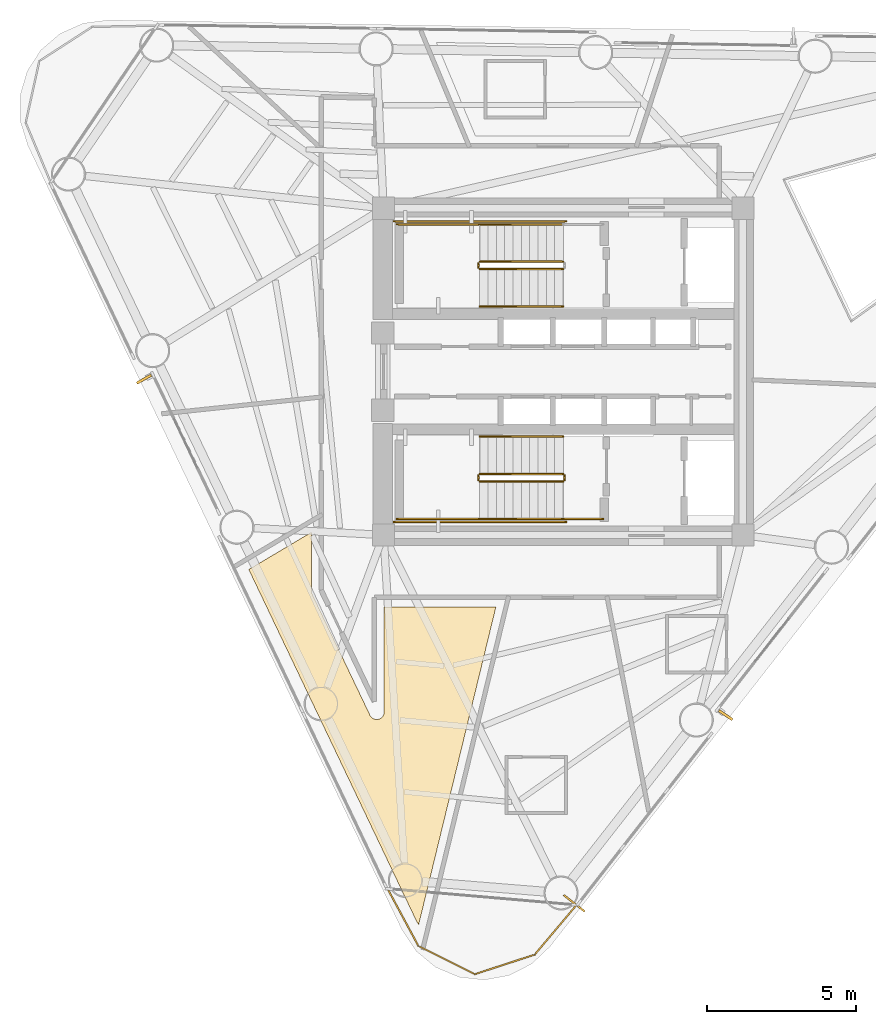
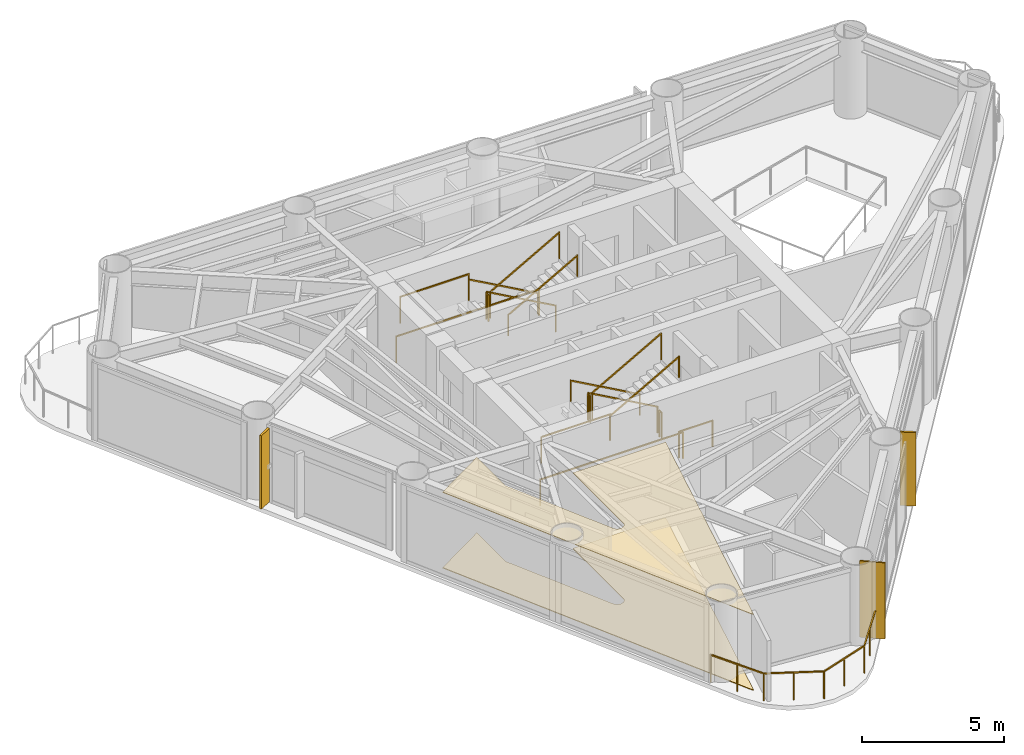
# One storey, part 7 of 9: 17 railings, 3 coverings, 2 shading devices.
"""IFC4 building model written with IfcOpenShell, lengths in metres."""

from ifc_helpers import new_model, si_unit, direction, frame, origin, origin_2d, place, context, subcontext, project, spatial, polyline, rectangle, outline, extrude, source, transform, mapped, material, layer, layer_set, material_profile, profile_set, type_object, element, save


model = new_model("IFC4")

# Units and contexts
model_context = context("Model", 3, precision=1e-05, world=origin(), true_north=direction((0.0, 1.0)))
body_context = subcontext(model_context, "Body", "Model", "MODEL_VIEW")
ifc_project = project(units=[si_unit("LENGTHUNIT", "METRE"), si_unit("AREAUNIT", "SQUARE_METRE"), si_unit("VOLUMEUNIT", "CUBIC_METRE"), si_unit("PLANEANGLEUNIT", "RADIAN"), si_unit("MASSUNIT", "GRAM", prefix="KILO")], contexts=[model_context])

# Site, building, storey
site_placement = place(None, origin())
site = spatial("IfcSite", under=ifc_project, at=site_placement, CompositionType="ELEMENT")
building_placement = place(site_placement, origin())
building = spatial("IfcBuilding", under=site, at=building_placement, Name="Yunling Apex Tower", CompositionType="ELEMENT")
storey_placement = place(building_placement, frame((0.0, 0.0, 212.14990234375)))
storey = spatial("IfcBuildingStorey", under=building, at=storey_placement, Name="L52", CompositionType="ELEMENT", Elevation=212.14990234375)

# Coverings
ifc_material_1 = material(Name="Acoustic mineral fibre ceiling")
ifc_layer_1 = layer(ifc_material_1, 0.02490234375)
ifc_layer_set_1 = layer_set([ifc_layer_1], Name="Acoustic mineral fibre ceiling")
covering_type_1 = type_object("IfcCoveringType", Name="CV-CLG-1", PredefinedType="CEILING", material=ifc_layer_set_1)
covering_1_placement = place(storey_placement, frame((0.0, 0.0, 3.2451171875)))
element("IfcCovering", 1, at=covering_1_placement, inside=storey, type_object=covering_type_1, Name="CV-CL-SP-L52-HAM1", PredefinedType="CEILING", context=body_context, shape_type="SweptSolid", body=[
    extrude(outline(polyline([(-4.8662109375, -18.615478515625), (-4.92919921875, -18.521240234375), (-10.586181640625, -6.660888671875), (-8.47998046875, -5.412109375), (-8.47998046875, -7.377685546875), (-8.479248046875, -7.396484375), (-8.475830078125, -7.419921875), (-8.47119140625, -7.43994140625), (-8.46533203125, -7.45849609375), (-8.458740234375, -7.474853515625), (-6.504150390625, -11.57275390625), (-6.493896484375, -11.59228515625), (-6.478759765625, -11.613525390625), (-6.46337890625, -11.632080078125), (-6.446044921875, -11.648681640625), (-6.427490234375, -11.664306640625), (-6.4052734375, -11.678466796875), (-6.383544921875, -11.689697265625), (-6.359375, -11.69921875), (-6.33837890625, -11.705078125), (-6.3134765625, -11.710205078125), (-6.284423828125, -11.7119140625), (-6.26318359375, -11.711181640625), (-6.23779296875, -11.708740234375), (-6.21240234375, -11.70263671875), (-6.187255859375, -11.694580078125), (-6.16357421875, -11.68310546875), (-6.146728515625, -11.673583984375), (-6.124755859375, -11.658447265625), (-6.105224609375, -11.640869140625), (-6.0888671875, -11.62353515625), (-6.072509765625, -11.6015625), (-6.059814453125, -11.580810546875), (-6.050537109375, -11.5615234375), (-6.041015625, -11.537109375), (-6.034912109375, -11.51171875), (-6.03076171875, -11.486572265625), (-6.030029296875, -11.465576171875), (-6.030029296875, -7.929931640625), (-2.267822265625, -7.929931640625), (-4.8662109375, -18.615478515625)])), origin(), (0.0, 0.0, 1.0), 0.02490234375),
])
ifc_material_2 = material(Name="Polished granite stone", Category="masonry")
ifc_layer_2 = layer(ifc_material_2, 0.030029296875)
ifc_layer_set_2 = layer_set([ifc_layer_2], Name="Polished granite stone")
covering_type_2 = type_object("IfcCoveringType", Name="CV-FLR-1", PredefinedType="FLOORING", material=ifc_layer_set_2)
covering_2_placement = place(storey_placement, origin())
element("IfcCovering", 2, at=covering_2_placement, inside=storey, type_object=covering_type_2, Name="CV-FL-SP-L52-HAM1", PredefinedType="FLOORING", context=body_context, shape_type="SweptSolid", body=[
    extrude(outline(polyline([(-4.8662109375, -18.615478515625), (-4.92919921875, -18.521240234375), (-10.586181640625, -6.660888671875), (-8.47998046875, -5.412109375), (-8.47998046875, -7.377685546875), (-8.479248046875, -7.396484375), (-8.475830078125, -7.419921875), (-8.47119140625, -7.43994140625), (-8.46533203125, -7.45849609375), (-8.458740234375, -7.474853515625), (-6.504150390625, -11.57275390625), (-6.493896484375, -11.59228515625), (-6.478759765625, -11.613525390625), (-6.46337890625, -11.632080078125), (-6.446044921875, -11.648681640625), (-6.427490234375, -11.664306640625), (-6.4052734375, -11.678466796875), (-6.383544921875, -11.689697265625), (-6.359375, -11.69921875), (-6.33837890625, -11.705078125), (-6.3134765625, -11.710205078125), (-6.284423828125, -11.7119140625), (-6.26318359375, -11.711181640625), (-6.23779296875, -11.708740234375), (-6.21240234375, -11.70263671875), (-6.187255859375, -11.694580078125), (-6.16357421875, -11.68310546875), (-6.146728515625, -11.673583984375), (-6.124755859375, -11.658447265625), (-6.105224609375, -11.640869140625), (-6.0888671875, -11.62353515625), (-6.072509765625, -11.6015625), (-6.059814453125, -11.580810546875), (-6.050537109375, -11.5615234375), (-6.041015625, -11.537109375), (-6.034912109375, -11.51171875), (-6.03076171875, -11.486572265625), (-6.030029296875, -11.465576171875), (-6.030029296875, -7.929931640625), (-2.267822265625, -7.929931640625), (-4.8662109375, -18.615478515625)])), origin(), (0.0, 0.0, 1.0), 0.030029296875),
])

# Railings
ifc_material_3 = material(Name="Bronze anodised aluminium", Category="aluminium")
railing_type_1 = type_object("IfcRailingType", Name="RL-BAL-1200", PredefinedType="BALUSTRADE", material=ifc_material_3)
railing_1_placement = place(storey_placement, frame((0.4462890625, -17.9599609375, 0.0)))
element("IfcRailing", 3, at=railing_1_placement, inside=storey, type_object=railing_type_1, Name="RL-CRNSILL-L52-3", PredefinedType="BALUSTRADE", context=body_context, shape_type="SweptSolid", body=[
    extrude(rectangle(XDim=0.0439453125, YDim=0.0439453125, at=origin_2d()), origin(), (0.0, 0.0, 1.0), 1.199951171875),
    extrude(rectangle(XDim=0.0439453125, YDim=0.0439453125, at=origin_2d()), frame((-1.408447265625, -1.669189453125, 0.0)), (0.0, 0.0, 1.0), 1.199951171875),
    extrude(rectangle(XDim=0.050048828125, YDim=0.050048828125, at=origin_2d()), frame((-0.024658203125, -0.029296875, 1.1748046875), z_axis=(-0.644889304204, -0.764275987666, 0.0), x_axis=(0.764275987666, -0.644889304204, 0.0)), (0.0, 0.0, 1.0), 2.107421875),
    extrude(rectangle(XDim=0.0439453125, YDim=0.0439453125, at=origin_2d()), frame((-0.7041015625, -0.83447265625, 0.0)), (0.0, 0.0, 1.0), 1.14599609375),
    extrude(rectangle(XDim=0.0439453125, YDim=0.0439453125, at=origin_2d()), frame((-3.421875, -2.326416015625, 0.0)), (0.0, 0.0, 1.0), 1.199951171875),
    extrude(rectangle(XDim=0.050048828125, YDim=0.050048828125, at=origin_2d()), frame((-1.44482421875, -1.68115234375, 1.1748046875), z_axis=(-0.950635994022, -0.310308244926, 0.0), x_axis=(0.310308244926, -0.950635994022, 0.0)), (0.0, 0.0, 1.0), 2.041259765625),
    extrude(rectangle(XDim=0.0439453125, YDim=0.0439453125, at=origin_2d()), frame((-2.4150390625, -1.997802734375, 0.0)), (0.0, 0.0, 1.0), 1.14599609375),
    extrude(rectangle(XDim=0.0439453125, YDim=0.0439453125, at=origin_2d()), frame((-5.32275390625, -1.376708984375, 0.0)), (0.0, 0.0, 1.0), 1.199951171875),
    extrude(rectangle(XDim=0.050048828125, YDim=0.050048828125, at=origin_2d()), frame((-3.4560546875, -2.309326171875, 1.1748046875), z_axis=(-0.894565021347, 0.446937828543, 0.0), x_axis=(-0.446937828543, -0.894565021347, 0.0)), (0.0, 0.0, 1.0), 2.04833984375),
    extrude(rectangle(XDim=0.0439453125, YDim=0.0439453125, at=origin_2d()), frame((-4.372314453125, -1.8515625, 0.0)), (0.0, 0.0, 1.0), 1.14599609375),
    extrude(rectangle(XDim=0.0439453125, YDim=0.0439453125, at=origin_2d()), frame((-6.35791015625, 0.545654296875, 0.0)), (0.0, 0.0, 1.0), 1.199951171875),
    extrude(rectangle(XDim=0.050048828125, YDim=0.050048828125, at=origin_2d()), frame((-5.3408203125, -1.343017578125, 1.1748046875), z_axis=(-0.474113159208, 0.880463918775, 0.0), x_axis=(-0.880463918775, -0.474113159208, 0.0)), (0.0, 0.0, 1.0), 2.106689453125),
    extrude(rectangle(XDim=0.0439453125, YDim=0.0439453125, at=origin_2d()), frame((-5.84033203125, -0.41552734375, 0.0)), (0.0, 0.0, 1.0), 1.14599609375),
])
ifc_material_4 = material(Name="Steel Q355B", Category="steel")
railing_type_2 = type_object("IfcRailingType", Name="RL-GRD-1150", PredefinedType="GUARDRAIL", material=ifc_material_4)
railing_2_placement = place(storey_placement, frame((-0.010009765625, 3.699951171875, 0.156982421875)))
element("IfcRailing", 4, at=railing_2_placement, inside=storey, type_object=railing_type_2, Name="L52 ST-1 stair guard 1", PredefinedType="GUARDRAIL", context=body_context, shape_type="SweptSolid", body=[
    extrude(rectangle(XDim=0.0439453125, YDim=0.0439453125, at=origin_2d()), origin(), (0.0, 0.0, 1.0), 1.14990234375),
    extrude(rectangle(XDim=0.0439453125, YDim=0.0439453125, at=origin_2d()), frame((-2.800048828125, 0.0, 1.568115234375)), (0.0, 0.0, 1.0), 1.14990234375),
    extrude(rectangle(XDim=0.050048828125, YDim=0.050048828125, at=origin_2d()), frame((-0.033447265625, 0.0, 1.1435546875), z_axis=(-0.872494340497, 0.0, 0.48862421737), x_axis=(0.0, -1.0, 0.0)), (0.0, 0.0, 1.0), 3.132568359375),
])
railing_3_placement = place(storey_placement, frame((-2.860107421875, 3.64990234375, 1.72509765625)))
element("IfcRailing", 5, at=railing_3_placement, inside=storey, type_object=railing_type_2, Name="L52 ST-1 stair guard 2", PredefinedType="GUARDRAIL", context=body_context, shape_type="SweptSolid", body=[
    extrude(rectangle(XDim=0.0439453125, YDim=0.0439453125, at=origin_2d()), origin(), (0.0, 0.0, 1.0), 1.14990234375),
    extrude(rectangle(XDim=0.0439453125, YDim=0.0439453125, at=origin_2d()), frame((0.0, -0.14990234375, 0.0)), (0.0, 0.0, 1.0), 1.14990234375),
    extrude(rectangle(XDim=0.050048828125, YDim=0.050048828125, at=origin_2d()), frame((0.0, -0.038330078125, 1.125), z_axis=(0.0, -1.0, 0.0), x_axis=(1.0, 0.0, 0.0)), (0.0, 0.0, 1.0), 0.0732421875),
])
railing_4_placement = place(storey_placement, frame((-2.81005859375, 4.9599609375, 1.72509765625)))
element("IfcRailing", 6, at=railing_4_placement, inside=storey, type_object=railing_type_2, Name="L52 ST-1 stair guard 3", PredefinedType="GUARDRAIL", context=body_context, shape_type="SweptSolid", body=[
    extrude(rectangle(XDim=0.0439453125, YDim=0.0439453125, at=origin_2d()), origin(), (0.0, 0.0, 1.0), 1.14990234375),
    extrude(rectangle(XDim=0.0439453125, YDim=0.0439453125, at=origin_2d()), frame((-2.7900390625, 0.0, 0.0)), (0.0, 0.0, 1.0), 1.14990234375),
    extrude(rectangle(XDim=0.050048828125, YDim=0.050048828125, at=origin_2d()), frame((-0.038330078125, 0.0, 1.125), z_axis=(-1.0, 0.0, 0.0), x_axis=(0.0, -1.0, 0.0)), (0.0, 0.0, 1.0), 2.71337890625),
])
railing_5_placement = place(storey_placement, frame((-2.81005859375, 3.449951171875, 1.8818359375)))
element("IfcRailing", 7, at=railing_5_placement, inside=storey, type_object=railing_type_2, Name="L52 ST-1 stair guard 4", PredefinedType="GUARDRAIL", context=body_context, shape_type="SweptSolid", body=[
    extrude(rectangle(XDim=0.0439453125, YDim=0.0439453125, at=origin_2d()), origin(), (0.0, 0.0, 1.0), 1.14990234375),
    extrude(rectangle(XDim=0.0439453125, YDim=0.0439453125, at=origin_2d()), frame((2.800048828125, 0.0, 1.568359375)), (0.0, 0.0, 1.0), 1.14990234375),
    extrude(rectangle(XDim=0.050048828125, YDim=0.050048828125, at=origin_2d()), frame((0.033447265625, 0.0, 1.1435546875), z_axis=(0.872461907711, 0.0, 0.488682125306), x_axis=(0.0, 1.0, 0.0)), (0.0, 0.0, 1.0), 3.1328125),
])
railing_6_placement = place(storey_placement, frame((0.090087890625, 5.06005859375, 0.0)))
element("IfcRailing", 8, at=railing_6_placement, inside=storey, type_object=railing_type_2, Name="L52 ST-1 stair guard 7", PredefinedType="GUARDRAIL", context=body_context, shape_type="SweptSolid", body=[
    extrude(rectangle(XDim=0.0439453125, YDim=0.0439453125, at=origin_2d()), origin(), (0.0, 0.0, 1.0), 1.14990234375),
    extrude(rectangle(XDim=0.0439453125, YDim=0.0439453125, at=origin_2d()), frame((-5.7900390625, 0.0, 0.0)), (0.0, 0.0, 1.0), 1.14990234375),
    extrude(rectangle(XDim=0.050048828125, YDim=0.050048828125, at=origin_2d()), frame((-0.038330078125, 0.0, 1.125), z_axis=(-1.0, 0.0, 0.0), x_axis=(0.0, -1.0, 0.0)), (0.0, 0.0, 1.0), 5.71337890625),
])
railing_7_placement = place(storey_placement, frame((-0.010009765625, -3.449951171875, 0.156982421875)))
element("IfcRailing", 9, at=railing_7_placement, inside=storey, type_object=railing_type_2, Name="L52 ST-2 stair guard 1", PredefinedType="GUARDRAIL", context=body_context, shape_type="SweptSolid", body=[
    extrude(rectangle(XDim=0.0439453125, YDim=0.0439453125, at=origin_2d()), origin(), (0.0, 0.0, 1.0), 1.14990234375),
    extrude(rectangle(XDim=0.0439453125, YDim=0.0439453125, at=origin_2d()), frame((-2.800048828125, 0.0, 1.568115234375)), (0.0, 0.0, 1.0), 1.14990234375),
    extrude(rectangle(XDim=0.050048828125, YDim=0.050048828125, at=origin_2d()), frame((-0.033447265625, 0.0, 1.1435546875), z_axis=(-0.872494340497, 0.0, 0.48862421737), x_axis=(0.0, -1.0, 0.0)), (0.0, 0.0, 1.0), 3.132568359375),
])
railing_8_placement = place(storey_placement, frame((-2.860107421875, -3.5, 1.72509765625)))
element("IfcRailing", 10, at=railing_8_placement, inside=storey, type_object=railing_type_2, Name="L52 ST-2 stair guard 2", PredefinedType="GUARDRAIL", context=body_context, shape_type="SweptSolid", body=[
    extrude(rectangle(XDim=0.0439453125, YDim=0.0439453125, at=origin_2d()), origin(), (0.0, 0.0, 1.0), 1.14990234375),
    extrude(rectangle(XDim=0.0439453125, YDim=0.0439453125, at=origin_2d()), frame((0.0, -0.14990234375, 0.0)), (0.0, 0.0, 1.0), 1.14990234375),
    extrude(rectangle(XDim=0.050048828125, YDim=0.050048828125, at=origin_2d()), frame((0.0, -0.038330078125, 1.125), z_axis=(0.0, -1.0, 0.0), x_axis=(1.0, 0.0, 0.0)), (0.0, 0.0, 1.0), 0.0732421875),
])
railing_9_placement = place(storey_placement, frame((-2.81005859375, -4.9599609375, 1.72509765625)))
element("IfcRailing", 11, at=railing_9_placement, inside=storey, type_object=railing_type_2, Name="L52 ST-2 stair guard 3", PredefinedType="GUARDRAIL", context=body_context, shape_type="SweptSolid", body=[
    extrude(rectangle(XDim=0.0439453125, YDim=0.0439453125, at=origin_2d()), origin(), (0.0, 0.0, 1.0), 1.14990234375),
    extrude(rectangle(XDim=0.0439453125, YDim=0.0439453125, at=origin_2d()), frame((-2.7900390625, 0.0, 0.0)), (0.0, 0.0, 1.0), 1.14990234375),
    extrude(rectangle(XDim=0.050048828125, YDim=0.050048828125, at=origin_2d()), frame((-0.038330078125, 0.0, 1.125), z_axis=(-1.0, 0.0, 0.0), x_axis=(0.0, -1.0, 0.0)), (0.0, 0.0, 1.0), 2.71337890625),
])
railing_10_placement = place(storey_placement, frame((-2.81005859375, -3.699951171875, 1.8818359375)))
element("IfcRailing", 12, at=railing_10_placement, inside=storey, type_object=railing_type_2, Name="L52 ST-2 stair guard 4", PredefinedType="GUARDRAIL", context=body_context, shape_type="SweptSolid", body=[
    extrude(rectangle(XDim=0.0439453125, YDim=0.0439453125, at=origin_2d()), origin(), (0.0, 0.0, 1.0), 1.14990234375),
    extrude(rectangle(XDim=0.0439453125, YDim=0.0439453125, at=origin_2d()), frame((2.800048828125, 0.0, 1.568359375)), (0.0, 0.0, 1.0), 1.14990234375),
    extrude(rectangle(XDim=0.050048828125, YDim=0.050048828125, at=origin_2d()), frame((0.033447265625, 0.0, 1.1435546875), z_axis=(0.872461907711, 0.0, 0.488682125306), x_axis=(0.0, 1.0, 0.0)), (0.0, 0.0, 1.0), 3.1328125),
])
railing_11_placement = place(storey_placement, frame((0.0400390625, -3.5, 0.0)))
element("IfcRailing", 13, at=railing_11_placement, inside=storey, type_object=railing_type_2, Name="L52 ST-2 stair guard 5", PredefinedType="GUARDRAIL", context=body_context, shape_type="SweptSolid", body=[
    extrude(rectangle(XDim=0.0439453125, YDim=0.0439453125, at=origin_2d()), origin(), (0.0, 0.0, 1.0), 1.14990234375),
    extrude(rectangle(XDim=0.0439453125, YDim=0.0439453125, at=origin_2d()), frame((0.0, -0.14990234375, 0.0)), (0.0, 0.0, 1.0), 1.14990234375),
    extrude(rectangle(XDim=0.050048828125, YDim=0.050048828125, at=origin_2d()), frame((0.0, -0.038330078125, 1.125), z_axis=(0.0, -1.0, 0.0), x_axis=(1.0, 0.0, 0.0)), (0.0, 0.0, 1.0), 0.0732421875),
])
railing_12_placement = place(storey_placement, frame((1.35009765625, -4.9599609375, 0.0)))
element("IfcRailing", 14, at=railing_12_placement, inside=storey, type_object=railing_type_2, Name="L52 ST-2 stair guard 6", PredefinedType="GUARDRAIL", context=body_context, shape_type="SweptSolid", body=[
    extrude(rectangle(XDim=0.0439453125, YDim=0.0439453125, at=origin_2d()), origin(), (0.0, 0.0, 1.0), 1.14990234375),
    extrude(rectangle(XDim=0.0439453125, YDim=0.0439453125, at=origin_2d()), frame((-1.360107421875, 0.0, 0.0)), (0.0, 0.0, 1.0), 1.14990234375),
    extrude(rectangle(XDim=0.050048828125, YDim=0.050048828125, at=origin_2d()), frame((-0.038330078125, 0.0, 1.125), z_axis=(-1.0, 0.0, 0.0), x_axis=(0.0, -1.0, 0.0)), (0.0, 0.0, 1.0), 1.283447265625),
])
railing_13_placement = place(storey_placement, frame((0.090087890625, -5.06005859375, 0.0)))
element("IfcRailing", 15, at=railing_13_placement, inside=storey, type_object=railing_type_2, Name="L52 ST-2 stair guard 7", PredefinedType="GUARDRAIL", context=body_context, shape_type="SweptSolid", body=[
    extrude(rectangle(XDim=0.0439453125, YDim=0.0439453125, at=origin_2d()), origin(), (0.0, 0.0, 1.0), 1.14990234375),
    extrude(rectangle(XDim=0.0439453125, YDim=0.0439453125, at=origin_2d()), frame((-5.7900390625, 0.0, 0.0)), (0.0, 0.0, 1.0), 1.14990234375),
    extrude(rectangle(XDim=0.050048828125, YDim=0.050048828125, at=origin_2d()), frame((-0.038330078125, 0.0, 1.125), z_axis=(-1.0, 0.0, 0.0), x_axis=(0.0, -1.0, 0.0)), (0.0, 0.0, 1.0), 5.71337890625),
])
ifc_material_5 = material(Name="Silver anodised aluminium", Category="aluminium")
railing_type_3 = type_object("IfcRailingType", Name="RL-HND-900", PredefinedType="HANDRAIL", material=ifc_material_5)
railing_14_placement = place(storey_placement, frame((-0.010009765625, 4.9599609375, 0.156982421875)))
element("IfcRailing", 16, at=railing_14_placement, inside=storey, type_object=railing_type_3, Name="L52 ST-1 stair handrail 1", PredefinedType="HANDRAIL", context=body_context, shape_type="SweptSolid", body=[
    extrude(rectangle(XDim=0.0439453125, YDim=0.0439453125, at=origin_2d()), origin(), (0.0, 0.0, 1.0), 0.919921875),
    extrude(rectangle(XDim=0.0439453125, YDim=0.0439453125, at=origin_2d()), frame((-2.800048828125, 0.0, 1.568115234375)), (0.0, 0.0, 1.0), 0.919921875),
    extrude(rectangle(XDim=0.050048828125, YDim=0.050048828125, at=origin_2d()), frame((-0.033447265625, 0.0, 0.91357421875), z_axis=(-0.872494340497, 0.0, 0.48862421737), x_axis=(0.0, -1.0, 0.0)), (0.0, 0.0, 1.0), 3.132568359375),
])
railing_15_placement = place(storey_placement, frame((-2.81005859375, 2.18994140625, 1.8818359375)))
element("IfcRailing", 17, at=railing_15_placement, inside=storey, type_object=railing_type_3, Name="L52 ST-1 stair handrail 2", PredefinedType="HANDRAIL", context=body_context, shape_type="SweptSolid", body=[
    extrude(rectangle(XDim=0.0439453125, YDim=0.0439453125, at=origin_2d()), origin(), (0.0, 0.0, 1.0), 0.919921875),
    extrude(rectangle(XDim=0.0439453125, YDim=0.0439453125, at=origin_2d()), frame((2.800048828125, 0.0, 1.568359375)), (0.0, 0.0, 1.0), 0.919921875),
    extrude(rectangle(XDim=0.050048828125, YDim=0.050048828125, at=origin_2d()), frame((0.033447265625, 0.0, 0.91357421875), z_axis=(0.872461907711, 0.0, 0.488682125306), x_axis=(0.0, 1.0, 0.0)), (0.0, 0.0, 1.0), 3.1328125),
])
railing_16_placement = place(storey_placement, frame((-0.010009765625, -2.18994140625, 0.156982421875)))
element("IfcRailing", 18, at=railing_16_placement, inside=storey, type_object=railing_type_3, Name="L52 ST-2 stair handrail 1", PredefinedType="HANDRAIL", context=body_context, shape_type="SweptSolid", body=[
    extrude(rectangle(XDim=0.0439453125, YDim=0.0439453125, at=origin_2d()), origin(), (0.0, 0.0, 1.0), 0.919921875),
    extrude(rectangle(XDim=0.0439453125, YDim=0.0439453125, at=origin_2d()), frame((-2.800048828125, 0.0, 1.568115234375)), (0.0, 0.0, 1.0), 0.919921875),
    extrude(rectangle(XDim=0.050048828125, YDim=0.050048828125, at=origin_2d()), frame((-0.033447265625, 0.0, 0.91357421875), z_axis=(-0.872494340497, 0.0, 0.48862421737), x_axis=(0.0, -1.0, 0.0)), (0.0, 0.0, 1.0), 3.132568359375),
])
railing_17_placement = place(storey_placement, frame((-2.81005859375, -4.9599609375, 1.8818359375)))
element("IfcRailing", 19, at=railing_17_placement, inside=storey, type_object=railing_type_3, Name="L52 ST-2 stair handrail 2", PredefinedType="HANDRAIL", context=body_context, shape_type="SweptSolid", body=[
    extrude(rectangle(XDim=0.0439453125, YDim=0.0439453125, at=origin_2d()), origin(), (0.0, 0.0, 1.0), 0.919921875),
    extrude(rectangle(XDim=0.0439453125, YDim=0.0439453125, at=origin_2d()), frame((2.800048828125, 0.0, 1.568359375)), (0.0, 0.0, 1.0), 0.919921875),
    extrude(rectangle(XDim=0.050048828125, YDim=0.050048828125, at=origin_2d()), frame((0.033447265625, 0.0, 0.91357421875), z_axis=(0.872461907711, 0.0, 0.488682125306), x_axis=(0.0, 1.0, 0.0)), (0.0, 0.0, 1.0), 3.1328125),
])

# Covering
ifc_layer_3 = layer(ifc_material_3, 0.0400390625)
ifc_layer_set_3 = layer_set([ifc_layer_3], Name="Bronze anodised aluminium")
covering_type_3 = type_object("IfcCoveringType", Name="CV-CLD-1", PredefinedType="CLADDING", material=ifc_layer_set_3)
shared_shape_1 = source(origin(), body_context, "Body", "SweptSolid", [
    extrude(rectangle(XDim=0.06005859375, YDim=0.89990234375, at=origin_2d()), origin(), (0.0, 0.0, 1.0), 3.27001953125),
])
covering_3_placement = place(storey_placement, frame((0.367431640625, -17.898193359375, 0.0), z_axis=(0.0, 0.0, 1.0), x_axis=(0.616211460536, 0.787580748815, 0.0)))
element("IfcCovering", 20, at=covering_3_placement, inside=storey, type_object=covering_type_3, Name="CV-CLD-L52", PredefinedType="CLADDING", context=body_context, shape_type="MappedRepresentation", body=[
    mapped(shared_shape_1, transform((0.0, 0.0, 0.0), scale=1.0)),
])

# Shading devices
ifc_material_profile = material_profile(ifc_material_3, rectangle(XDim=0.0849609375, YDim=0.550048828125, at=origin_2d()))
ifc_profile_set = profile_set([ifc_material_profile], Name="Bronze anodised aluminium")
shading_device_type = type_object("IfcShadingDeviceType", Name="FN-BRZ-3", PredefinedType="USERDEFINED", material=ifc_profile_set)
shared_shape_2 = source(origin(), body_context, "Body", "SweptSolid", [
    extrude(rectangle(XDim=0.0849609375, YDim=0.550048828125, at=origin_2d()), origin(), (0.0, 0.0, 1.0), 3.14990234375),
])
for number, where, z_axis, x_axis, name in (
    (21, (5.468505859375, -11.565185546875, 0.06005859375), (0.0, 0.0, 1.0), (0.563381859003, 0.826196635763, 0.0), "CW-L52-F1-B2-FIN-01"),
    (22, (-14.113037109375, -0.254150390625, 0.06005859375), (0.0, 0.0, 1.0), (0.488621241497, -0.872496007073, 0.0), "CW-L52-F3-B2-FIN-01"),
):
    element("IfcShadingDevice", number, at=place(storey_placement, frame(where, z_axis=z_axis, x_axis=x_axis)), inside=storey, type_object=shading_device_type, Name=name, ObjectType="FIN", PredefinedType="USERDEFINED", context=body_context, shape_type="MappedRepresentation", body=[
        mapped(shared_shape_2, transform((0.0, 0.0, 0.0), scale=1.0)),
    ])

save(model, "model.ifc")
